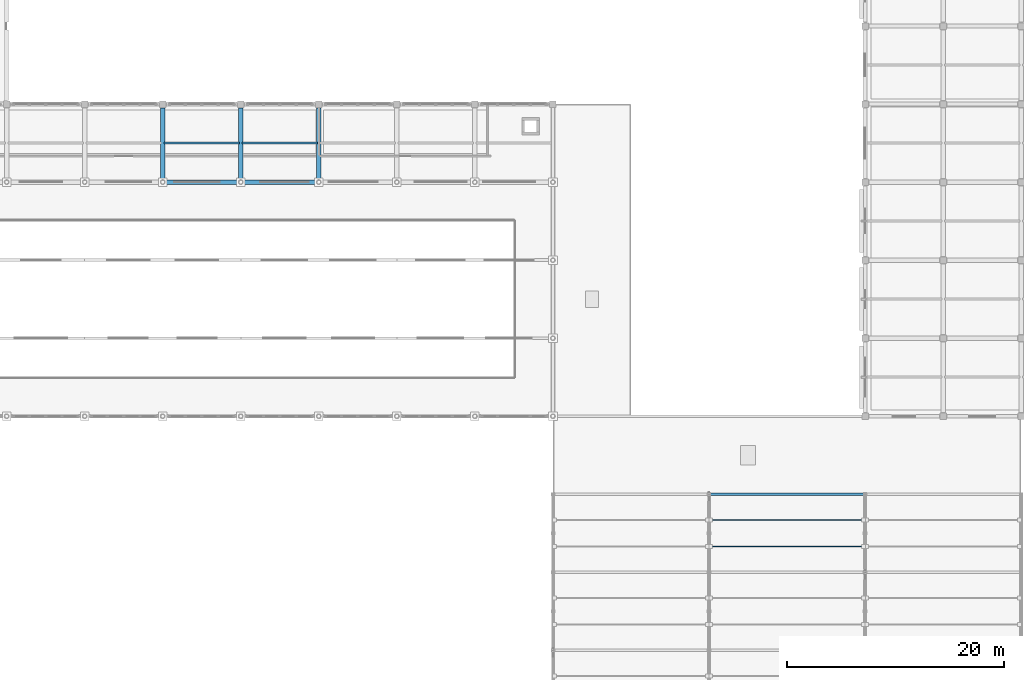
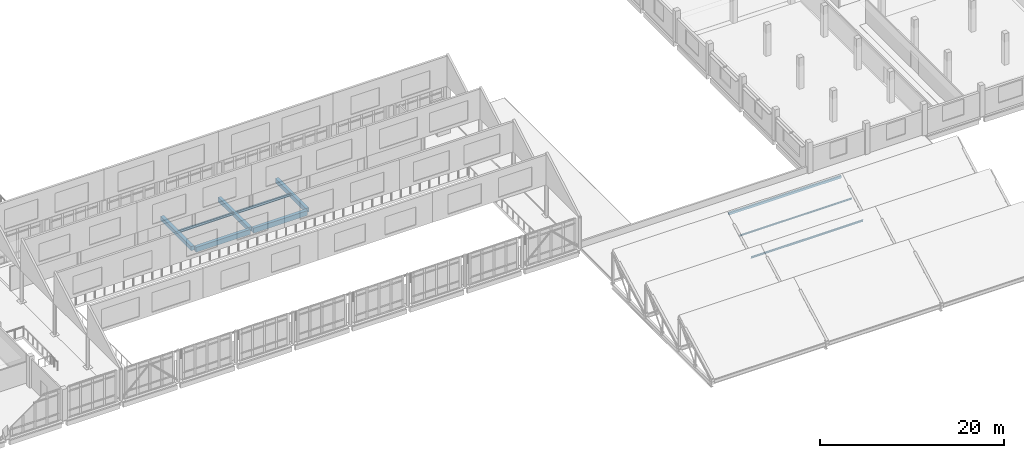
# One storey, part 20 of 62: 7 beams, 3 members.
"""IFC4 building model written with IfcOpenShell, lengths in metres."""

from ifc_helpers import new_model, si_unit, direction, frame, origin, origin_2d, place, context, subcontext, project, spatial, rectangle, hollow_rectangle, i_section, extrude, material, material_profile, profile_set, type_object, element, save


model = new_model("IFC4")

# Units and contexts
model_context = context("Model", 3, precision=1e-05, world=origin(), true_north=direction((0.0, 1.0)))
body_context = subcontext(model_context, "Body", "Model", "MODEL_VIEW")
ifc_project = project(units=[si_unit("LENGTHUNIT", "METRE"), si_unit("AREAUNIT", "SQUARE_METRE"), si_unit("VOLUMEUNIT", "CUBIC_METRE"), si_unit("PLANEANGLEUNIT", "RADIAN"), si_unit("MASSUNIT", "GRAM", prefix="KILO")], contexts=[model_context])

# Site, building, storey
site_placement = place(None, origin())
site = spatial("IfcSite", under=ifc_project, at=site_placement, CompositionType="ELEMENT")
building_placement = place(site_placement, origin())
building = spatial("IfcBuilding", under=site, at=building_placement, Name="Valkovuoma Quantum and Materials Research Institute", CompositionType="ELEMENT")
storey_placement = place(building_placement, frame((0.0, 0.0, 13.1201171875)))
storey = spatial("IfcBuildingStorey", under=building, at=storey_placement, Name="L03", CompositionType="ELEMENT", Elevation=13.1201171875)

# Beams
ifc_material_1 = material(Name="Steel S355J2", Category="steel")
ifc_material_profile_1 = material_profile(ifc_material_1, i_section(OverallWidth=0.169921875, OverallDepth=0.360107421875, WebThickness=0.008056640625, FlangeThickness=0.0126953125, FilletRadius=0.01806640625, at=origin_2d()), Name="Steel S355J2")
ifc_profile_set_1 = profile_set([ifc_material_profile_1], Name="Steel S355J2")
beam_type_1 = type_object("IfcBeamType", Name="Beam-B-JST360", PredefinedType="JOIST", material=ifc_profile_set_1)
for number, where, z_axis, x_axis, name in (
    (1, (64.919921875, 61.199951171875, -0.530029296875), (1.0, 0.0, 0.0), (0.0, 1.0, 0.0), "L03 floor joist 1741"),
    (2, (72.1201171875, 61.199951171875, -0.530029296875), (1.0, 0.0, 0.0), (0.0, 1.0, 0.0), "L03 floor joist 1742"),
):
    element("IfcBeam", number, at=place(storey_placement, frame(where, z_axis=z_axis, x_axis=x_axis)), inside=storey, type_object=beam_type_1, Name=name, PredefinedType="JOIST", context=body_context, shape_type="SweptSolid", body=[
        extrude(i_section(OverallWidth=0.169921875, OverallDepth=0.360107421875, WebThickness=0.008056640625, FlangeThickness=0.0126953125, FilletRadius=0.01806640625, at=origin_2d()), origin(), (0.0, 0.0, 1.0), 6.9599609375),
    ])
ifc_material_2 = material(Name="Concrete C40/50", Category="concrete")
ifc_material_profile_2 = material_profile(ifc_material_2, rectangle(XDim=0.39990234375, YDim=0.550048828125, at=origin_2d()), Name="Concrete C40/50")
ifc_profile_set_2 = profile_set([ifc_material_profile_2], Name="Concrete C40/50")
beam_type_2 = type_object("IfcBeamType", Name="Beam-B-RC550", PredefinedType="BEAM", material=ifc_profile_set_2)
for number, where, z_axis, x_axis, name in (
    (3, (64.800048828125, 57.80322265625, -0.625), (0.0, 1.0, 0.0), (-1.0, 0.0, 0.0), "L03 beam Y-1629"),
    (4, (72.0, 57.80322265625, -0.625), (0.0, 1.0, 0.0), (-1.0, 0.0, 0.0), "L03 beam Y-1630"),
    (5, (79.199951171875, 57.80322265625, -0.625), (0.0, 1.0, 0.0), (-1.0, 0.0, 0.0), "L03 beam Y-1631"),
):
    element("IfcBeam", number, at=place(storey_placement, frame(where, z_axis=z_axis, x_axis=x_axis)), inside=storey, type_object=beam_type_2, Name=name, PredefinedType="BEAM", context=body_context, shape_type="SweptSolid", body=[
        extrude(rectangle(XDim=0.39990234375, YDim=0.550048828125, at=origin_2d()), origin(), (0.0, 0.0, 1.0), 6.646728515625),
    ])
ifc_material_3 = material(Name="Concrete C40/50", Category="concrete")
ifc_material_profile_3 = material_profile(ifc_material_3, rectangle(XDim=0.39990234375, YDim=0.64990234375, at=origin_2d()), Name="Concrete C40/50")
ifc_profile_set_3 = profile_set([ifc_material_profile_3], Name="Concrete C40/50")
beam_type_3 = type_object("IfcBeamType", Name="Beam-B-RC650", PredefinedType="BEAM", material=ifc_profile_set_3)
for number, where, z_axis, x_axis, name in (
    (6, (65.003173828125, 57.60009765625, -0.675048828125), (1.0, 0.0, 0.0), (0.0, 1.0, 0.0), "L03 beam X-1473"),
    (7, (72.203125, 57.60009765625, -0.675048828125), (1.0, 0.0, 0.0), (0.0, 1.0, 0.0), "L03 beam X-1474"),
):
    element("IfcBeam", number, at=place(storey_placement, frame(where, z_axis=z_axis, x_axis=x_axis)), inside=storey, type_object=beam_type_3, Name=name, PredefinedType="BEAM", context=body_context, shape_type="SweptSolid", body=[
        extrude(rectangle(XDim=0.39990234375, YDim=0.64990234375, at=origin_2d()), origin(), (0.0, 0.0, 1.0), 6.793701171875),
    ])

# Members
ifc_material_4 = material(Name="Steel S355J2H", Category="steel")
ifc_material_profile_4 = material_profile(ifc_material_4, hollow_rectangle(XDim=0.199951171875, YDim=0.300048828125, WallThickness=0.012451171875, at=origin_2d()), Name="Steel S355J2H")
ifc_profile_set_4 = profile_set([ifc_material_profile_4], Name="Steel S355J2H")
member_type_1 = type_object("IfcMemberType", Name="Mem-M-CHD300", PredefinedType="CHORD", material=ifc_profile_set_4)
member_1_placement = place(storey_placement, frame((115.35009765625, 28.800048828125, 3.849853515625), z_axis=(1.0, 0.0, 0.0), x_axis=(0.0, 1.0, 0.0)))
element("IfcMember", 8, at=member_1_placement, inside=storey, type_object=member_type_1, Name="L03 VOL1 ridge chord 3.2", PredefinedType="CHORD", context=body_context, shape_type="SweptSolid", body=[
    extrude(hollow_rectangle(XDim=0.199951171875, YDim=0.300048828125, WallThickness=0.012451171875, at=origin_2d()), origin(), (0.0, 0.0, 1.0), 14.099853515625),
])
ifc_material_5 = material(Name="Steel S355J2", Category="steel")
ifc_material_profile_5 = material_profile(ifc_material_5, i_section(OverallWidth=0.10009765625, OverallDepth=0.199951171875, WebThickness=0.005615234375, FlangeThickness=0.008544921875, FilletRadius=0.011962890625, at=origin_2d()), Name="Steel S355J2")
ifc_profile_set_5 = profile_set([ifc_material_profile_5], Name="Steel S355J2")
member_type_2 = type_object("IfcMemberType", Name="Mem-M-PRL200", PredefinedType="PURLIN", material=ifc_profile_set_5)
member_2_placement = place(storey_placement, frame((115.35009765625, 26.424072265625, 2.379150390625), z_axis=(1.0, 0.0, 0.0), x_axis=(0.0, 1.0, 0.0)))
element("IfcMember", 9, at=member_2_placement, inside=storey, type_object=member_type_2, Name="L03 VOL1 roof purlin 3.2.2", PredefinedType="PURLIN", context=body_context, shape_type="SweptSolid", body=[
    extrude(i_section(OverallWidth=0.10009765625, OverallDepth=0.199951171875, WebThickness=0.005615234375, FlangeThickness=0.008544921875, FilletRadius=0.011962890625, at=origin_2d()), origin(), (0.0, 0.0, 1.0), 14.099853515625),
])
ifc_material_6 = material(Name="Steel S355J2", Category="steel")
ifc_material_profile_6 = material_profile(ifc_material_6, i_section(OverallWidth=0.1201171875, OverallDepth=0.239990234375, WebThickness=0.006103515625, FlangeThickness=0.009765625, FilletRadius=0.014892578125, at=origin_2d()), Name="Steel S355J2")
ifc_profile_set_6 = profile_set([ifc_material_profile_6], Name="Steel S355J2")
member_type_3 = type_object("IfcMemberType", Name="Mem-M-PRL240", PredefinedType="PURLIN", material=ifc_profile_set_6)
member_3_placement = place(storey_placement, frame((115.35009765625, 23.97607421875, 0.951171875), z_axis=(1.0, 0.0, 0.0), x_axis=(0.0, 1.0, 0.0)))
element("IfcMember", 10, at=member_3_placement, inside=storey, type_object=member_type_3, Name="L03 VOL1 roof purlin 3.2.1", PredefinedType="PURLIN", context=body_context, shape_type="SweptSolid", body=[
    extrude(i_section(OverallWidth=0.1201171875, OverallDepth=0.239990234375, WebThickness=0.006103515625, FlangeThickness=0.009765625, FilletRadius=0.014892578125, at=origin_2d()), origin(), (0.0, 0.0, 1.0), 14.099853515625),
])

save(model, "model.ifc")
